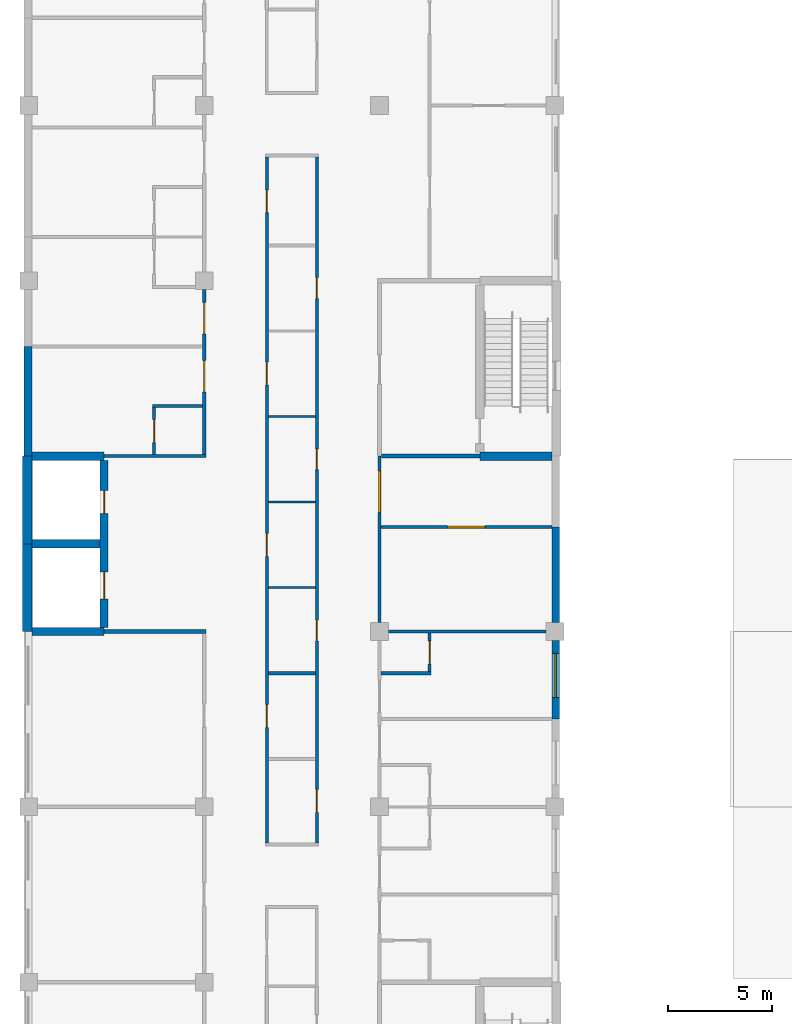
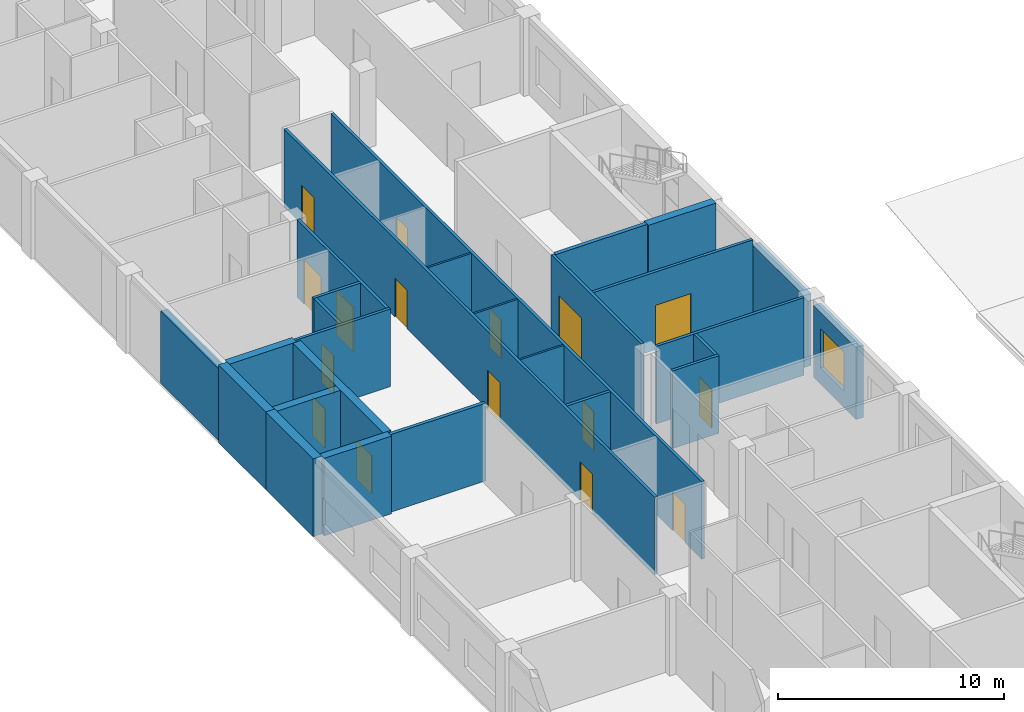
# One storey, part 42 of 66: 27 walls, 16 doors, 1 window, 17 openings.
"""IFC4 building model written with IfcOpenShell, lengths in metres."""

from ifc_helpers import new_model, si_unit, direction, frame, frame_2d, origin, place, context, subcontext, project, spatial, rectangle, extrude, material, layer, layer_set, type_object, element, fill, save


model = new_model("IFC4")

# Units and contexts
model_context = context("Model", 3, precision=1e-05, world=origin(), true_north=direction((0.0, 1.0)))
body_context = subcontext(model_context, "Body", "Model", "MODEL_VIEW")
ifc_project = project(units=[si_unit("LENGTHUNIT", "METRE"), si_unit("AREAUNIT", "SQUARE_METRE"), si_unit("VOLUMEUNIT", "CUBIC_METRE"), si_unit("PLANEANGLEUNIT", "RADIAN"), si_unit("MASSUNIT", "GRAM", prefix="KILO")], contexts=[model_context])

# Site, building, storey
site_placement = place(None, origin())
site = spatial("IfcSite", under=ifc_project, at=site_placement, CompositionType="ELEMENT")
building_placement = place(site_placement, origin())
building = spatial("IfcBuilding", under=site, at=building_placement, Name="Yavir Park General Hospital", CompositionType="ELEMENT")
storey_placement = place(building_placement, frame((0.0, 0.0, 8.39990234375)))
storey = spatial("IfcBuildingStorey", under=building, at=storey_placement, Name="L02", CompositionType="ELEMENT", Elevation=8.39990234375)

# Walls
ifc_material_1 = material(Name="Double-leaf gypsum board acoustic partition on staggered studs")
ifc_layer_1 = layer(ifc_material_1, 0.175048828125)
ifc_layer_set_1 = layer_set([ifc_layer_1], Name="Double-leaf gypsum board acoustic partition on staggered studs")
wall_type_1 = type_object("IfcWallType", Name="Acoustic partition 175", PredefinedType="PARTITIONING", material=ifc_layer_set_1)
wall_1_placement = place(storey_placement, frame((3.60009765625, 67.199951171875, 0.0), z_axis=(0.0, 0.0, 1.0), x_axis=(1.0, 0.0, 0.0)))
element("IfcWall", 1, at=wall_1_placement, inside=storey, type_object=wall_type_1, Name="AP175 L02-109", PredefinedType="PARTITIONING", context=body_context, shape_type="SweptSolid", body=[
    extrude(rectangle(XDim=4.887451171875, YDim=0.175048828125, at=frame_2d((2.44384765625, 0.0))), origin(), (0.0, 0.0, 1.0), 4.2001953125),
])
ifc_material_2 = material(Name="Double gypsum board fire partition on steel studs", Category="steel")
ifc_layer_2 = layer(ifc_material_2, 0.199951171875)
ifc_layer_set_2 = layer_set([ifc_layer_2], Name="Double gypsum board fire partition on steel studs")
wall_type_2 = type_object("IfcWallType", Name="Fire-rated partition 200, EI 60", PredefinedType="PARTITIONING", material=ifc_layer_set_2)
wall_2_placement = place(storey_placement, frame((16.89990234375, 75.60009765625, 0.0), z_axis=(0.0, 0.0, 1.0), x_axis=(1.0, 0.0, 0.0)))
element("IfcWall", 2, at=wall_2_placement, inside=storey, type_object=wall_type_2, Name="FP20 L02-117", PredefinedType="PARTITIONING", context=body_context, shape_type="SweptSolid", body=[
    extrude(rectangle(XDim=4.7001953125, YDim=0.199951171875, at=frame_2d((2.35009765625, 0.0))), origin(), (0.0, 0.0, 1.0), 4.2001953125),
])
ifc_material_3 = material(Name="Gypsum board partition on steel studs", Category="steel")
ifc_layer_3 = layer(ifc_material_3, 0.10009765625)
ifc_layer_set_3 = layer_set([ifc_layer_3], Name="Gypsum board partition on steel studs")
wall_type_3 = type_object("IfcWallType", Name="Gypsum board partition 100", PredefinedType="PARTITIONING", material=ifc_layer_set_3)
for number, where, z_axis, x_axis, name in (
    (3, (11.47509765625, 69.300048828125, 0.0), (0.0, 0.0, 1.0), (1.0, 0.0, 0.0), "P10 L02-111"),
    (4, (11.47509765625, 73.39990234375, 0.0), (0.0, 0.0, 1.0), (1.0, 0.0, 0.0), "P10 L02-114"),
    (5, (11.47509765625, 77.5, 0.0), (0.0, 0.0, 1.0), (1.0, 0.0, 0.0), "P10 L02-119"),
):
    element("IfcWall", number, at=place(storey_placement, frame(where, z_axis=z_axis, x_axis=x_axis)), inside=storey, type_object=wall_type_3, Name=name, PredefinedType="PARTITIONING", context=body_context, shape_type="SweptSolid", body=[
        extrude(rectangle(XDim=2.25, YDim=0.10009765625, at=frame_2d((1.125, 0.0))), origin(), (0.0, 0.0, 1.0), 4.2001953125),
    ])
ifc_material_4 = material(Name="Gypsum board partition on steel studs", Category="steel")
ifc_layer_4 = layer(ifc_material_4, 0.14990234375)
ifc_layer_set_4 = layer_set([ifc_layer_4], Name="Gypsum board partition on steel studs")
wall_type_4 = type_object("IfcWallType", Name="Gypsum board partition 150", PredefinedType="PARTITIONING", material=ifc_layer_set_4)
wall_3_placement = place(storey_placement, frame((11.47509765625, 65.199951171875, 0.0), z_axis=(0.0, 0.0, 1.0), x_axis=(1.0, 0.0, 0.0)))
element("IfcWall", 6, at=wall_3_placement, inside=storey, type_object=wall_type_4, Name="P15 L02-106", PredefinedType="PARTITIONING", context=body_context, shape_type="SweptSolid", body=[
    extrude(rectangle(XDim=2.25, YDim=0.14990234375, at=frame_2d((1.125, 0.0))), origin(), (0.0, 0.0, 1.0), 4.2001953125),
])
wall_4_placement = place(storey_placement, frame((16.875, 65.199951171875, 0.0), z_axis=(0.0, 0.0, 1.0), x_axis=(1.0, 0.0, 0.0)))
element("IfcWall", 7, at=wall_4_placement, inside=storey, type_object=wall_type_4, Name="P15 L02-107", PredefinedType="PARTITIONING", context=body_context, shape_type="SweptSolid", body=[
    extrude(rectangle(XDim=2.39990234375, YDim=0.14990234375, at=frame_2d((1.199951171875, 0.0))), origin(), (0.0, 0.0, 1.0), 4.2001953125),
])
wall_5_placement = place(storey_placement, frame((17.22509765625, 67.199951171875, 0.0), z_axis=(0.0, 0.0, 1.0), x_axis=(1.0, 0.0, 0.0)))
element("IfcWall", 8, at=wall_5_placement, inside=storey, type_object=wall_type_4, Name="P15 L02-110", PredefinedType="PARTITIONING", context=body_context, shape_type="SweptSolid", body=[
    extrude(rectangle(XDim=7.5498046875, YDim=0.14990234375, at=frame_2d((3.77490234375, 0.0))), origin(), (0.0, 0.0, 1.0), 4.2001953125),
])

# Wall, opening, door
wall_6_placement = place(storey_placement, frame((16.875, 72.199951171875, 0.0), z_axis=(0.0, 0.0, 1.0), x_axis=(1.0, 0.0, 0.0)))
wall_6 = element("IfcWall", 9, at=wall_6_placement, inside=storey, type_object=wall_type_4, Name="P15 L02-113", PredefinedType="PARTITIONING", context=body_context, shape_type="SweptSolid", body=[
    extrude(rectangle(XDim=8.175048828125, YDim=0.14990234375, at=frame_2d((4.08740234375, 0.0))), origin(), (0.0, 0.0, 1.0), 4.2001953125),
])
opening_1_placement = place(wall_6_placement, frame((3.1875, 0.0, 0.0)))
opening_1 = element("IfcOpeningElement", 10, at=opening_1_placement, cuts=wall_6, Name="Opening L02.D102", PredefinedType="OPENING", context=body_context, shape_type="SweptSolid", body=[
    extrude(rectangle(XDim=1.800048828125, YDim=2.39990234375, at=frame_2d((0.89990234375, 1.199951171875))), frame((0.0, 0.0849609375, 0.0), z_axis=(0.0, -1.0, 0.0), x_axis=(1.0, 0.0, 0.0)), (0.0, 0.0, 1.0), 0.169921875),
])
ifc_material_5 = material(Name="Hermetic steel-faced sliding leaves, hygienic coating", Category="steel")
door_type_1 = type_object("IfcDoorType", Name="Sterile bi-parting sliding door 1800 x 2400", OperationType="DOUBLE_DOOR_SLIDING", PredefinedType="DOOR", material=ifc_material_5)
door_1_placement = place(opening_1_placement, origin())
door_1 = element("IfcDoor", 11, at=door_1_placement, inside=storey, type_object=door_type_1, Name="L02.D102", OperationType="DOUBLE_DOOR_SLIDING", OverallHeight=2.39990234375, OverallWidth=1.800048828125, PredefinedType="DOOR", context=body_context, shape_type="SweptSolid", body=[
    extrude(rectangle(XDim=1.800048828125, YDim=2.39990234375, at=frame_2d((0.89990234375, 1.199951171875))), frame((0.0, 0.044921875, 0.0), z_axis=(0.0, -1.0, 0.0), x_axis=(1.0, 0.0, 0.0)), (0.0, 0.0, 1.0), 0.090087890625),
])
fill(opening_1, door_1)

# Walls
wall_7_placement = place(storey_placement, frame((3.60009765625, 75.60009765625, 0.0), z_axis=(0.0, 0.0, 1.0), x_axis=(1.0, 0.0, 0.0)))
element("IfcWall", 12, at=wall_7_placement, inside=storey, type_object=wall_type_4, Name="P15 L02-116", PredefinedType="PARTITIONING", context=body_context, shape_type="SweptSolid", body=[
    extrude(rectangle(XDim=4.875, YDim=0.14990234375, at=frame_2d((2.4375, 0.0))), origin(), (0.0, 0.0, 1.0), 4.2001953125),
])
wall_8_placement = place(storey_placement, frame((5.925048828125, 78.0, 0.0), z_axis=(0.0, 0.0, 1.0), x_axis=(1.0, 0.0, 0.0)))
element("IfcWall", 13, at=wall_8_placement, inside=storey, type_object=wall_type_4, Name="P15 L02-120", PredefinedType="PARTITIONING", context=body_context, shape_type="SweptSolid", body=[
    extrude(rectangle(XDim=2.39990234375, YDim=0.14990234375, at=frame_2d((1.199951171875, 0.0))), origin(), (0.0, 0.0, 1.0), 4.2001953125),
])

# Wall, opening, door
wall_9_placement = place(storey_placement, frame((6.0, 75.675048828125, 0.0), z_axis=(0.0, 0.0, 1.0), x_axis=(0.0, 1.0, 0.0)))
wall_9 = element("IfcWall", 14, at=wall_9_placement, inside=storey, type_object=wall_type_4, Name="P15 L02-157", PredefinedType="PARTITIONING", context=body_context, shape_type="SweptSolid", body=[
    extrude(rectangle(XDim=2.25, YDim=0.14990234375, at=frame_2d((1.125, 0.0))), origin(), (0.0, 0.0, 1.0), 4.2001953125),
])
opening_2_placement = place(wall_9_placement, frame((0.574951171875, 0.0, 0.0)))
opening_2 = element("IfcOpeningElement", 15, at=opening_2_placement, cuts=wall_9, Name="Opening L02.D110", PredefinedType="OPENING", context=body_context, shape_type="SweptSolid", body=[
    extrude(rectangle(XDim=1.10009765625, YDim=2.10009765625, at=frame_2d((0.550048828125, 1.050048828125))), frame((0.0, 0.0849609375, 0.0), z_axis=(0.0, -1.0, 0.0), x_axis=(1.0, 0.0, 0.0)), (0.0, 0.0, 1.0), 0.169921875),
])
ifc_material_6 = material(Name="Hollow metal frame, solid-core timber leaf", Category="wood")
door_type_2 = type_object("IfcDoorType", Name="Single swing door 1100 x 2100", OperationType="SINGLE_SWING_LEFT", PredefinedType="DOOR", material=ifc_material_6)
door_2_placement = place(opening_2_placement, origin())
door_2 = element("IfcDoor", 16, at=door_2_placement, inside=storey, type_object=door_type_2, Name="L02.D110", OperationType="SINGLE_SWING_RIGHT", OverallHeight=2.10009765625, OverallWidth=1.10009765625, PredefinedType="DOOR", context=body_context, shape_type="SweptSolid", body=[
    extrude(rectangle(XDim=1.10009765625, YDim=2.10009765625, at=frame_2d((0.550048828125, 1.050048828125))), frame((0.0, 0.02490234375, 0.0), z_axis=(0.0, -1.0, 0.0), x_axis=(1.0, 0.0, 0.0)), (0.0, 0.0, 1.0), 0.050048828125),
])
fill(opening_2, door_2)

# Wall, openings, doors
wall_10_placement = place(storey_placement, frame((8.39990234375, 75.675048828125, 0.0), z_axis=(0.0, 0.0, 1.0), x_axis=(0.0, 1.0, 0.0)))
wall_10 = element("IfcWall", 17, at=wall_10_placement, inside=storey, type_object=wall_type_4, Name="P15 L02-173", PredefinedType="PARTITIONING", context=body_context, shape_type="SweptSolid", body=[
    extrude(rectangle(XDim=7.89990234375, YDim=0.14990234375, at=frame_2d((3.949951171875, 0.0))), origin(), (0.0, 0.0, 1.0), 4.2001953125),
])
opening_3_placement = place(wall_10_placement, frame((3.0, 0.0, 0.0)))
opening_3 = element("IfcOpeningElement", 18, at=opening_3_placement, cuts=wall_10, Name="Opening L02.D123", PredefinedType="OPENING", context=body_context, shape_type="SweptSolid", body=[
    extrude(rectangle(XDim=1.5, YDim=2.39990234375, at=frame_2d((0.75, 1.199951171875))), frame((0.0, 0.0849609375, 0.0), z_axis=(0.0, -1.0, 0.0), x_axis=(1.0, 0.0, 0.0)), (0.0, 0.0, 1.0), 0.169921875),
])
opening_4_placement = place(wall_10_placement, frame((5.78759765625, 0.0, 0.0)))
opening_4 = element("IfcOpeningElement", 19, at=opening_4_placement, cuts=wall_10, Name="Opening L02.D124", PredefinedType="OPENING", context=body_context, shape_type="SweptSolid", body=[
    extrude(rectangle(XDim=1.5, YDim=2.39990234375, at=frame_2d((0.75, 1.199951171875))), frame((0.0, 0.0849609375, 0.0), z_axis=(0.0, -1.0, 0.0), x_axis=(1.0, 0.0, 0.0)), (0.0, 0.0, 1.0), 0.169921875),
])
ifc_material_7 = material(Name="Solid-core timber leaves, push plates, kick plates", Category="wood")
door_type_3 = type_object("IfcDoorType", Name="Bed door, unequal leaves 1500 x 2400", OperationType="DOUBLE_DOOR_SINGLE_SWING", PredefinedType="DOOR", material=ifc_material_7)
door_3_placement = place(opening_3_placement, origin())
door_3 = element("IfcDoor", 20, at=door_3_placement, inside=storey, type_object=door_type_3, Name="L02.D123", OperationType="SINGLE_SWING_RIGHT", OverallHeight=2.39990234375, OverallWidth=1.5, PredefinedType="DOOR", context=body_context, shape_type="SweptSolid", body=[
    extrude(rectangle(XDim=1.5, YDim=2.39990234375, at=frame_2d((0.75, 1.199951171875))), frame((0.0, 0.030029296875, 0.0), z_axis=(0.0, -1.0, 0.0), x_axis=(1.0, 0.0, 0.0)), (0.0, 0.0, 1.0), 0.06005859375),
])
fill(opening_3, door_3)
door_4_placement = place(opening_4_placement, origin())
door_4 = element("IfcDoor", 21, at=door_4_placement, inside=storey, type_object=door_type_3, Name="L02.D124", OperationType="SINGLE_SWING_RIGHT", OverallHeight=2.39990234375, OverallWidth=1.5, PredefinedType="DOOR", context=body_context, shape_type="SweptSolid", body=[
    extrude(rectangle(XDim=1.5, YDim=2.39990234375, at=frame_2d((0.75, 1.199951171875))), frame((0.0, 0.030029296875, 0.0), z_axis=(0.0, -1.0, 0.0), x_axis=(1.0, 0.0, 0.0)), (0.0, 0.0, 1.0), 0.06005859375),
])
fill(opening_4, door_4)

wall_11_placement = place(storey_placement, frame((11.39990234375, 57.074951171875, 0.0), z_axis=(0.0, 0.0, 1.0), x_axis=(0.0, 1.0, 0.0)))
wall_11 = element("IfcWall", 22, at=wall_11_placement, inside=storey, type_object=wall_type_4, Name="P15 L02-181", PredefinedType="PARTITIONING", context=body_context, shape_type="SweptSolid", body=[
    extrude(rectangle(XDim=32.85009765625, YDim=0.14990234375, at=frame_2d((16.425048828125, 0.0))), origin(), (0.0, 0.0, 1.0), 4.2001953125),
])
opening_5_placement = place(wall_11_placement, frame((5.52490234375, 0.0, 0.0)))
opening_5 = element("IfcOpeningElement", 23, at=opening_5_placement, cuts=wall_11, Name="Opening L02.D136", PredefinedType="OPENING", context=body_context, shape_type="SweptSolid", body=[
    extrude(rectangle(XDim=1.10009765625, YDim=2.10009765625, at=frame_2d((0.550048828125, 1.050048828125))), frame((0.0, 0.0849609375, 0.0), z_axis=(0.0, -1.0, 0.0), x_axis=(1.0, 0.0, 0.0)), (0.0, 0.0, 1.0), 0.169921875),
])
opening_6_placement = place(wall_11_placement, frame((13.72509765625, 0.0, 0.0)))
opening_6 = element("IfcOpeningElement", 24, at=opening_6_placement, cuts=wall_11, Name="Opening L02.D137", PredefinedType="OPENING", context=body_context, shape_type="SweptSolid", body=[
    extrude(rectangle(XDim=1.10009765625, YDim=2.10009765625, at=frame_2d((0.550048828125, 1.050048828125))), frame((0.0, 0.0849609375, 0.0), z_axis=(0.0, -1.0, 0.0), x_axis=(1.0, 0.0, 0.0)), (0.0, 0.0, 1.0), 0.169921875),
])
opening_7_placement = place(wall_11_placement, frame((21.925048828125, 0.0, 0.0)))
opening_7 = element("IfcOpeningElement", 25, at=opening_7_placement, cuts=wall_11, Name="Opening L02.D138", PredefinedType="OPENING", context=body_context, shape_type="SweptSolid", body=[
    extrude(rectangle(XDim=1.10009765625, YDim=2.10009765625, at=frame_2d((0.550048828125, 1.050048828125))), frame((0.0, 0.0849609375, 0.0), z_axis=(0.0, -1.0, 0.0), x_axis=(1.0, 0.0, 0.0)), (0.0, 0.0, 1.0), 0.169921875),
])
opening_8_placement = place(wall_11_placement, frame((30.1875, 0.0, 0.0)))
opening_8 = element("IfcOpeningElement", 26, at=opening_8_placement, cuts=wall_11, Name="Opening L02.D139", PredefinedType="OPENING", context=body_context, shape_type="SweptSolid", body=[
    extrude(rectangle(XDim=1.10009765625, YDim=2.10009765625, at=frame_2d((0.550048828125, 1.050048828125))), frame((0.0, 0.0849609375, 0.0), z_axis=(0.0, -1.0, 0.0), x_axis=(1.0, 0.0, 0.0)), (0.0, 0.0, 1.0), 0.169921875),
])
door_5_placement = place(opening_5_placement, origin())
door_5 = element("IfcDoor", 27, at=door_5_placement, inside=storey, type_object=door_type_2, Name="L02.D136", OperationType="SINGLE_SWING_RIGHT", OverallHeight=2.10009765625, OverallWidth=1.10009765625, PredefinedType="DOOR", context=body_context, shape_type="SweptSolid", body=[
    extrude(rectangle(XDim=1.10009765625, YDim=2.10009765625, at=frame_2d((0.550048828125, 1.050048828125))), frame((0.0, 0.02490234375, 0.0), z_axis=(0.0, -1.0, 0.0), x_axis=(1.0, 0.0, 0.0)), (0.0, 0.0, 1.0), 0.050048828125),
])
fill(opening_5, door_5)
door_6_placement = place(opening_6_placement, origin())
door_6 = element("IfcDoor", 28, at=door_6_placement, inside=storey, type_object=door_type_2, Name="L02.D137", OperationType="SINGLE_SWING_RIGHT", OverallHeight=2.10009765625, OverallWidth=1.10009765625, PredefinedType="DOOR", context=body_context, shape_type="SweptSolid", body=[
    extrude(rectangle(XDim=1.10009765625, YDim=2.10009765625, at=frame_2d((0.550048828125, 1.050048828125))), frame((0.0, 0.02490234375, 0.0), z_axis=(0.0, -1.0, 0.0), x_axis=(1.0, 0.0, 0.0)), (0.0, 0.0, 1.0), 0.050048828125),
])
fill(opening_6, door_6)
door_7_placement = place(opening_7_placement, origin())
door_7 = element("IfcDoor", 29, at=door_7_placement, inside=storey, type_object=door_type_2, Name="L02.D138", OperationType="SINGLE_SWING_RIGHT", OverallHeight=2.10009765625, OverallWidth=1.10009765625, PredefinedType="DOOR", context=body_context, shape_type="SweptSolid", body=[
    extrude(rectangle(XDim=1.10009765625, YDim=2.10009765625, at=frame_2d((0.550048828125, 1.050048828125))), frame((0.0, 0.02490234375, 0.0), z_axis=(0.0, -1.0, 0.0), x_axis=(1.0, 0.0, 0.0)), (0.0, 0.0, 1.0), 0.050048828125),
])
fill(opening_7, door_7)
door_8_placement = place(opening_8_placement, origin())
door_8 = element("IfcDoor", 30, at=door_8_placement, inside=storey, type_object=door_type_2, Name="L02.D139", OperationType="SINGLE_SWING_LEFT", OverallHeight=2.10009765625, OverallWidth=1.10009765625, PredefinedType="DOOR", context=body_context, shape_type="SweptSolid", body=[
    extrude(rectangle(XDim=1.10009765625, YDim=2.10009765625, at=frame_2d((0.550048828125, 1.050048828125))), frame((0.0, 0.02490234375, 0.0), z_axis=(0.0, -1.0, 0.0), x_axis=(1.0, 0.0, 0.0)), (0.0, 0.0, 1.0), 0.050048828125),
])
fill(opening_8, door_8)

wall_12_placement = place(storey_placement, frame((13.800048828125, 57.074951171875, 0.0), z_axis=(0.0, 0.0, 1.0), x_axis=(0.0, 1.0, 0.0)))
wall_12 = element("IfcWall", 31, at=wall_12_placement, inside=storey, type_object=wall_type_4, Name="P15 L02-188", PredefinedType="PARTITIONING", context=body_context, shape_type="SweptSolid", body=[
    extrude(rectangle(XDim=32.85009765625, YDim=0.14990234375, at=frame_2d((16.425048828125, 0.0))), origin(), (0.0, 0.0, 1.0), 4.2001953125),
])
opening_9_placement = place(wall_12_placement, frame((1.46240234375, 0.0, 0.0)))
opening_9 = element("IfcOpeningElement", 32, at=opening_9_placement, cuts=wall_12, Name="Opening L02.D146", PredefinedType="OPENING", context=body_context, shape_type="SweptSolid", body=[
    extrude(rectangle(XDim=1.10009765625, YDim=2.10009765625, at=frame_2d((0.550048828125, 1.050048828125))), frame((0.0, 0.0849609375, 0.0), z_axis=(0.0, -1.0, 0.0), x_axis=(1.0, 0.0, 0.0)), (0.0, 0.0, 1.0), 0.169921875),
])
opening_10_placement = place(wall_12_placement, frame((9.675048828125, 0.0, 0.0)))
opening_10 = element("IfcOpeningElement", 33, at=opening_10_placement, cuts=wall_12, Name="Opening L02.D147", PredefinedType="OPENING", context=body_context, shape_type="SweptSolid", body=[
    extrude(rectangle(XDim=1.0, YDim=2.10009765625, at=frame_2d((0.5, 1.050048828125))), frame((0.0, 0.0849609375, 0.0), z_axis=(0.0, -1.0, 0.0), x_axis=(1.0, 0.0, 0.0)), (0.0, 0.0, 1.0), 0.169921875),
])
opening_11_placement = place(wall_12_placement, frame((17.875, 0.0, 0.0)))
opening_11 = element("IfcOpeningElement", 34, at=opening_11_placement, cuts=wall_12, Name="Opening L02.D148", PredefinedType="OPENING", context=body_context, shape_type="SweptSolid", body=[
    extrude(rectangle(XDim=1.0, YDim=2.10009765625, at=frame_2d((0.5, 1.050048828125))), frame((0.0, 0.0849609375, 0.0), z_axis=(0.0, -1.0, 0.0), x_axis=(1.0, 0.0, 0.0)), (0.0, 0.0, 1.0), 0.169921875),
])
opening_12_placement = place(wall_12_placement, frame((26.074951171875, 0.0, 0.0)))
opening_12 = element("IfcOpeningElement", 35, at=opening_12_placement, cuts=wall_12, Name="Opening L02.D149", PredefinedType="OPENING", context=body_context, shape_type="SweptSolid", body=[
    extrude(rectangle(XDim=1.0, YDim=2.10009765625, at=frame_2d((0.5, 1.050048828125))), frame((0.0, 0.0849609375, 0.0), z_axis=(0.0, -1.0, 0.0), x_axis=(1.0, 0.0, 0.0)), (0.0, 0.0, 1.0), 0.169921875),
])
ifc_material_8 = material(Name="Hollow metal frame, solid-core timber leaf", Category="wood")
door_type_4 = type_object("IfcDoorType", Name="Single swing door 1000 x 2100", OperationType="SINGLE_SWING_LEFT", PredefinedType="DOOR", material=ifc_material_8)
door_9_placement = place(opening_10_placement, origin())
door_9 = element("IfcDoor", 36, at=door_9_placement, inside=storey, type_object=door_type_4, Name="L02.D147", OperationType="SINGLE_SWING_LEFT", OverallHeight=2.10009765625, OverallWidth=1.0, PredefinedType="DOOR", context=body_context, shape_type="SweptSolid", body=[
    extrude(rectangle(XDim=1.0, YDim=2.10009765625, at=frame_2d((0.5, 1.050048828125))), frame((0.0, 0.02490234375, 0.0), z_axis=(0.0, -1.0, 0.0), x_axis=(1.0, 0.0, 0.0)), (0.0, 0.0, 1.0), 0.050048828125),
])
fill(opening_10, door_9)
door_10_placement = place(opening_11_placement, origin())
door_10 = element("IfcDoor", 37, at=door_10_placement, inside=storey, type_object=door_type_4, Name="L02.D148", OperationType="SINGLE_SWING_LEFT", OverallHeight=2.10009765625, OverallWidth=1.0, PredefinedType="DOOR", context=body_context, shape_type="SweptSolid", body=[
    extrude(rectangle(XDim=1.0, YDim=2.10009765625, at=frame_2d((0.5, 1.050048828125))), frame((0.0, 0.02490234375, 0.0), z_axis=(0.0, -1.0, 0.0), x_axis=(1.0, 0.0, 0.0)), (0.0, 0.0, 1.0), 0.050048828125),
])
fill(opening_11, door_10)
door_11_placement = place(opening_12_placement, origin())
door_11 = element("IfcDoor", 38, at=door_11_placement, inside=storey, type_object=door_type_4, Name="L02.D149", OperationType="SINGLE_SWING_LEFT", OverallHeight=2.10009765625, OverallWidth=1.0, PredefinedType="DOOR", context=body_context, shape_type="SweptSolid", body=[
    extrude(rectangle(XDim=1.0, YDim=2.10009765625, at=frame_2d((0.5, 1.050048828125))), frame((0.0, 0.02490234375, 0.0), z_axis=(0.0, -1.0, 0.0), x_axis=(1.0, 0.0, 0.0)), (0.0, 0.0, 1.0), 0.050048828125),
])
fill(opening_12, door_11)
door_12_placement = place(opening_9_placement, origin())
door_12 = element("IfcDoor", 39, at=door_12_placement, inside=storey, type_object=door_type_2, Name="L02.D146", OperationType="SINGLE_SWING_LEFT", OverallHeight=2.10009765625, OverallWidth=1.10009765625, PredefinedType="DOOR", context=body_context, shape_type="SweptSolid", body=[
    extrude(rectangle(XDim=1.10009765625, YDim=2.10009765625, at=frame_2d((0.550048828125, 1.050048828125))), frame((0.0, 0.02490234375, 0.0), z_axis=(0.0, -1.0, 0.0), x_axis=(1.0, 0.0, 0.0)), (0.0, 0.0, 1.0), 0.050048828125),
])
fill(opening_9, door_12)

# Wall, opening, door
wall_13_placement = place(storey_placement, frame((16.800048828125, 67.625, 0.0), z_axis=(0.0, 0.0, 1.0), x_axis=(0.0, 1.0, 0.0)))
wall_13 = element("IfcWall", 40, at=wall_13_placement, inside=storey, type_object=wall_type_4, Name="P15 L02-202", PredefinedType="PARTITIONING", context=body_context, shape_type="SweptSolid", body=[
    extrude(rectangle(XDim=7.97509765625, YDim=0.14990234375, at=frame_2d((3.987548828125, 0.0))), origin(), (0.0, 0.0, 1.0), 4.2001953125),
])
opening_13_placement = place(wall_13_placement, frame((5.27490234375, 0.0, 0.0)))
opening_13 = element("IfcOpeningElement", 41, at=opening_13_placement, cuts=wall_13, Name="Opening L02.D162", PredefinedType="OPENING", context=body_context, shape_type="SweptSolid", body=[
    extrude(rectangle(XDim=2.0, YDim=2.39990234375, at=frame_2d((1.0, 1.199951171875))), frame((0.0, 0.0849609375, 0.0), z_axis=(0.0, -1.0, 0.0), x_axis=(1.0, 0.0, 0.0)), (0.0, 0.0, 1.0), 0.169921875),
])
ifc_material_9 = material(Name="Hermetic steel-faced sliding leaves, hygienic coating", Category="steel")
door_type_5 = type_object("IfcDoorType", Name="Sterile bi-parting sliding door 2000 x 2400", OperationType="DOUBLE_DOOR_SLIDING", PredefinedType="DOOR", material=ifc_material_9)
door_13_placement = place(opening_13_placement, origin())
door_13 = element("IfcDoor", 42, at=door_13_placement, inside=storey, type_object=door_type_5, Name="L02.D162", OperationType="DOUBLE_DOOR_SLIDING", OverallHeight=2.39990234375, OverallWidth=2.0, PredefinedType="DOOR", context=body_context, shape_type="SweptSolid", body=[
    extrude(rectangle(XDim=2.0, YDim=2.39990234375, at=frame_2d((1.0, 1.199951171875))), frame((0.0, 0.044921875, 0.0), z_axis=(0.0, -1.0, 0.0), x_axis=(1.0, 0.0, 0.0)), (0.0, 0.0, 1.0), 0.090087890625),
])
fill(opening_13, door_13)

wall_14_placement = place(storey_placement, frame((19.199951171875, 65.27490234375, 0.0), z_axis=(0.0, 0.0, 1.0), x_axis=(0.0, 1.0, 0.0)))
wall_14 = element("IfcWall", 43, at=wall_14_placement, inside=storey, type_object=wall_type_4, Name="P15 L02-210", PredefinedType="PARTITIONING", context=body_context, shape_type="SweptSolid", body=[
    extrude(rectangle(XDim=1.85009765625, YDim=0.14990234375, at=frame_2d((0.925048828125, 0.0))), origin(), (0.0, 0.0, 1.0), 4.2001953125),
])
opening_14_placement = place(wall_14_placement, frame((0.375, 0.0, 0.0)))
opening_14 = element("IfcOpeningElement", 44, at=opening_14_placement, cuts=wall_14, Name="Opening L02.D169", PredefinedType="OPENING", context=body_context, shape_type="SweptSolid", body=[
    extrude(rectangle(XDim=1.10009765625, YDim=2.10009765625, at=frame_2d((0.550048828125, 1.050048828125))), frame((0.0, 0.0849609375, 0.0), z_axis=(0.0, -1.0, 0.0), x_axis=(1.0, 0.0, 0.0)), (0.0, 0.0, 1.0), 0.169921875),
])
door_14_placement = place(opening_14_placement, origin())
door_14 = element("IfcDoor", 45, at=door_14_placement, inside=storey, type_object=door_type_2, Name="L02.D169", OperationType="SINGLE_SWING_RIGHT", OverallHeight=2.10009765625, OverallWidth=1.10009765625, PredefinedType="DOOR", context=body_context, shape_type="SweptSolid", body=[
    extrude(rectangle(XDim=1.10009765625, YDim=2.10009765625, at=frame_2d((0.550048828125, 1.050048828125))), frame((0.0, 0.02490234375, 0.0), z_axis=(0.0, -1.0, 0.0), x_axis=(1.0, 0.0, 0.0)), (0.0, 0.0, 1.0), 0.050048828125),
])
fill(opening_14, door_14)

# Wall
ifc_material_10 = material(Name="Autoclaved aerated block, 150 mm mineral wool and sand-coloured mineral render")
ifc_layer_5 = layer(ifc_material_10, 0.375)
ifc_layer_set_5 = layer_set([ifc_layer_5], Name="Autoclaved aerated block, 150 mm mineral wool and sand-coloured mineral render")
wall_type_5 = type_object("IfcWallType", Name="Mineral render clinical wall 375, E 30", PredefinedType="SOLIDWALL", material=ifc_layer_set_5)
wall_15_placement = place(storey_placement, frame((-0.03759765625, 75.60009765625, 0.0), z_axis=(0.0, 0.0, 1.0), x_axis=(0.0, 1.0, 0.0)))
element("IfcWall", 46, at=wall_15_placement, inside=storey, type_object=wall_type_5, Name="XW1 L02-124", PredefinedType="SOLIDWALL", context=body_context, shape_type="SweptSolid", body=[
    extrude(rectangle(XDim=5.25, YDim=0.375, at=frame_2d((2.625, 0.0))), origin(), (0.0, 0.0, 1.0), 3.900146484375),
])

# Wall, opening, window
wall_16_placement = place(storey_placement, frame((25.237548828125, 63.0, 0.0), z_axis=(0.0, 0.0, 1.0), x_axis=(0.0, 1.0, 0.0)))
wall_16 = element("IfcWall", 47, at=wall_16_placement, inside=storey, type_object=wall_type_5, Name="XW1 L02-143", PredefinedType="SOLIDWALL", context=body_context, shape_type="SweptSolid", body=[
    extrude(rectangle(XDim=3.77490234375, YDim=0.375, at=frame_2d((1.887451171875, 0.0))), origin(), (0.0, 0.0, 1.0), 3.900146484375),
])
opening_15_placement = place(wall_16_placement, frame((1.050048828125, 0.0, 0.89990234375)))
opening_15 = element("IfcOpeningElement", 48, at=opening_15_placement, cuts=wall_16, Name="Opening WA2", PredefinedType="OPENING", context=body_context, shape_type="SweptSolid", body=[
    extrude(rectangle(XDim=2.10009765625, YDim=2.10009765625, at=frame_2d((1.050048828125, 1.050048828125))), frame((0.0, 0.197509765625, 0.0), z_axis=(0.0, -1.0, 0.0), x_axis=(1.0, 0.0, 0.0)), (0.0, 0.0, 1.0), 0.39501953125),
])
ifc_material_11 = material(Name="Aluminium frame, double glazed unit", Category="aluminium")
window_type = type_object("IfcWindowType", Name="Tall window 2100 x 2100", PartitioningType="DOUBLE_PANEL_VERTICAL", PredefinedType="WINDOW", material=ifc_material_11)
window_placement = place(opening_15_placement, origin())
window = element("IfcWindow", 49, at=window_placement, inside=storey, type_object=window_type, Name="WA2 L02-061", OverallHeight=2.10009765625, OverallWidth=2.10009765625, PartitioningType="DOUBLE_PANEL_VERTICAL", PredefinedType="WINDOW", context=body_context, shape_type="SweptSolid", body=[
    extrude(rectangle(XDim=2.10009765625, YDim=2.10009765625, at=frame_2d((1.050048828125, 1.050048828125))), frame((0.0, 0.030029296875, 0.0), z_axis=(0.0, -1.0, 0.0), x_axis=(1.0, 0.0, 0.0)), (0.0, 0.0, 1.0), 0.06005859375),
])
fill(opening_15, window)

# Walls
wall_17_placement = place(storey_placement, frame((25.237548828125, 67.625, 0.0), z_axis=(0.0, 0.0, 1.0), x_axis=(0.0, 1.0, 0.0)))
element("IfcWall", 50, at=wall_17_placement, inside=storey, type_object=wall_type_5, Name="XW1 L02-144", PredefinedType="SOLIDWALL", context=body_context, shape_type="SweptSolid", body=[
    extrude(rectangle(XDim=4.574951171875, YDim=0.375, at=frame_2d((2.28759765625, 0.0))), origin(), (0.0, 0.0, 1.0), 3.900146484375),
])
ifc_material_12 = material(Name="Concrete C35/45", Category="concrete")
ifc_layer_6 = layer(ifc_material_12, 0.39990234375)
ifc_layer_set_6 = layer_set([ifc_layer_6], Name="Concrete C35/45")
wall_type_6 = type_object("IfcWallType", Name="Reinforced concrete core wall 400, REI 150", PredefinedType="SHEAR", material=ifc_layer_set_6)
wall_18_placement = place(storey_placement, frame((0.14990234375, 67.199951171875, 0.0), z_axis=(0.0, 0.0, 1.0), x_axis=(1.0, 0.0, 0.0)))
element("IfcWall", 51, at=wall_18_placement, inside=storey, type_object=wall_type_6, Name="CW40 L02-108", PredefinedType="SHEAR", context=body_context, shape_type="SweptSolid", body=[
    extrude(rectangle(XDim=3.4501953125, YDim=0.39990234375, at=frame_2d((1.72509765625, 0.0))), origin(), (0.0, 0.0, 1.0), 4.2001953125),
])
wall_19_placement = place(storey_placement, frame((0.14990234375, 71.39990234375, 0.0), z_axis=(0.0, 0.0, 1.0), x_axis=(1.0, 0.0, 0.0)))
element("IfcWall", 52, at=wall_19_placement, inside=storey, type_object=wall_type_6, Name="CW40 L02-112", PredefinedType="SHEAR", context=body_context, shape_type="SweptSolid", body=[
    extrude(rectangle(XDim=3.25, YDim=0.39990234375, at=frame_2d((1.625, 0.0))), origin(), (0.0, 0.0, 1.0), 4.2001953125),
])
wall_20_placement = place(storey_placement, frame((0.14990234375, 75.60009765625, 0.0), z_axis=(0.0, 0.0, 1.0), x_axis=(1.0, 0.0, 0.0)))
element("IfcWall", 53, at=wall_20_placement, inside=storey, type_object=wall_type_6, Name="CW40 L02-115", PredefinedType="SHEAR", context=body_context, shape_type="SweptSolid", body=[
    extrude(rectangle(XDim=3.4501953125, YDim=0.39990234375, at=frame_2d((1.72509765625, 0.0))), origin(), (0.0, 0.0, 1.0), 4.2001953125),
])
wall_21_placement = place(storey_placement, frame((21.60009765625, 75.60009765625, 0.0), z_axis=(0.0, 0.0, 1.0), x_axis=(1.0, 0.0, 0.0)))
element("IfcWall", 54, at=wall_21_placement, inside=storey, type_object=wall_type_6, Name="CW40 L02-118", PredefinedType="SHEAR", context=body_context, shape_type="SweptSolid", body=[
    extrude(rectangle(XDim=3.449951171875, YDim=0.39990234375, at=frame_2d((1.72509765625, 0.0))), origin(), (0.0, 0.0, 1.0), 4.2001953125),
])

# Wall, openings, doors
wall_22_placement = place(storey_placement, frame((3.60009765625, 67.39990234375, 0.0), z_axis=(0.0, 0.0, 1.0), x_axis=(0.0, 1.0, 0.0)))
wall_22 = element("IfcWall", 55, at=wall_22_placement, inside=storey, type_object=wall_type_6, Name="CW40 L02-156", PredefinedType="SHEAR", context=body_context, shape_type="SweptSolid", body=[
    extrude(rectangle(XDim=8.0, YDim=0.39990234375, at=frame_2d((4.0, 0.0))), origin(), (0.0, 0.0, 1.0), 4.2001953125),
])
opening_16_placement = place(wall_22_placement, frame((1.35009765625, 0.0, 0.0)))
opening_16 = element("IfcOpeningElement", 56, at=opening_16_placement, cuts=wall_22, Name="Opening L02.D108", PredefinedType="OPENING", context=body_context, shape_type="SweptSolid", body=[
    extrude(rectangle(XDim=1.300048828125, YDim=2.10009765625, at=frame_2d((0.64990234375, 1.050048828125))), frame((0.0, 0.2099609375, 0.0), z_axis=(0.0, -1.0, 0.0), x_axis=(1.0, 0.0, 0.0)), (0.0, 0.0, 1.0), 0.419921875),
])
opening_17_placement = place(wall_22_placement, frame((5.449951171875, 0.0, 0.0)))
opening_17 = element("IfcOpeningElement", 57, at=opening_17_placement, cuts=wall_22, Name="Opening L02.D109", PredefinedType="OPENING", context=body_context, shape_type="SweptSolid", body=[
    extrude(rectangle(XDim=1.10009765625, YDim=2.10009765625, at=frame_2d((0.550048828125, 1.050048828125))), frame((0.0, 0.2099609375, 0.0), z_axis=(0.0, -1.0, 0.0), x_axis=(1.0, 0.0, 0.0)), (0.0, 0.0, 1.0), 0.419921875),
])
ifc_material_13 = material(Name="Stainless steel landing door panels", Category="steel")
door_type_6 = type_object("IfcDoorType", Name="Lift landing door 1100 x 2100, EI 60", OperationType="SLIDING_TO_LEFT", PredefinedType="DOOR", material=ifc_material_13)
door_15_placement = place(opening_17_placement, origin())
door_15 = element("IfcDoor", 58, at=door_15_placement, inside=storey, type_object=door_type_6, Name="L02.D109", OperationType="SLIDING_TO_LEFT", OverallHeight=2.10009765625, OverallWidth=1.10009765625, PredefinedType="DOOR", context=body_context, shape_type="SweptSolid", body=[
    extrude(rectangle(XDim=1.10009765625, YDim=2.10009765625, at=frame_2d((0.550048828125, 1.050048828125))), frame((0.0, 0.02490234375, 0.0), z_axis=(0.0, -1.0, 0.0), x_axis=(1.0, 0.0, 0.0)), (0.0, 0.0, 1.0), 0.050048828125),
])
fill(opening_17, door_15)
ifc_material_14 = material(Name="Stainless steel landing door panels", Category="steel")
door_type_7 = type_object("IfcDoorType", Name="Lift landing door 1300 x 2100, EI 60", OperationType="SLIDING_TO_LEFT", PredefinedType="DOOR", material=ifc_material_14)
door_16_placement = place(opening_16_placement, origin())
door_16 = element("IfcDoor", 59, at=door_16_placement, inside=storey, type_object=door_type_7, Name="L02.D108", OperationType="SLIDING_TO_LEFT", OverallHeight=2.10009765625, OverallWidth=1.300048828125, PredefinedType="DOOR", context=body_context, shape_type="SweptSolid", body=[
    extrude(rectangle(XDim=1.300048828125, YDim=2.10009765625, at=frame_2d((0.64990234375, 1.050048828125))), frame((0.0, 0.02490234375, 0.0), z_axis=(0.0, -1.0, 0.0), x_axis=(1.0, 0.0, 0.0)), (0.0, 0.0, 1.0), 0.050048828125),
])
fill(opening_16, door_16)

# Walls
ifc_material_15 = material(Name="Concrete C30/37 precast panel with 150 mm mineral wool insulation", Category="concrete")
ifc_layer_7 = layer(ifc_material_15, 0.449951171875)
ifc_layer_set_7 = layer_set([ifc_layer_7], Name="Concrete C30/37 precast panel with 150 mm mineral wool insulation")
wall_type_7 = type_object("IfcWallType", Name="Stair enclosure wall 450, REI 150", PredefinedType="SOLIDWALL", material=ifc_layer_set_7)
wall_23_placement = place(storey_placement, frame((-0.074951171875, 67.199951171875, 0.0), z_axis=(0.0, 0.0, 1.0), x_axis=(0.0, 1.0, 0.0)))
element("IfcWall", 60, at=wall_23_placement, inside=storey, type_object=wall_type_7, Name="XW6 L02-122", PredefinedType="SOLIDWALL", context=body_context, shape_type="SweptSolid", body=[
    extrude(rectangle(XDim=4.199951171875, YDim=0.449951171875, at=frame_2d((2.10009765625, 0.0))), origin(), (0.0, 0.0, 1.0), 4.2001953125),
])
wall_24_placement = place(storey_placement, frame((-0.074951171875, 71.39990234375, 0.0), z_axis=(0.0, 0.0, 1.0), x_axis=(0.0, 1.0, 0.0)))
element("IfcWall", 61, at=wall_24_placement, inside=storey, type_object=wall_type_7, Name="XW6 L02-123", PredefinedType="SOLIDWALL", context=body_context, shape_type="SweptSolid", body=[
    extrude(rectangle(XDim=4.2001953125, YDim=0.449951171875, at=frame_2d((2.10009765625, 0.0))), origin(), (0.0, 0.0, 1.0), 4.2001953125),
])

save(model, "model.ifc")
